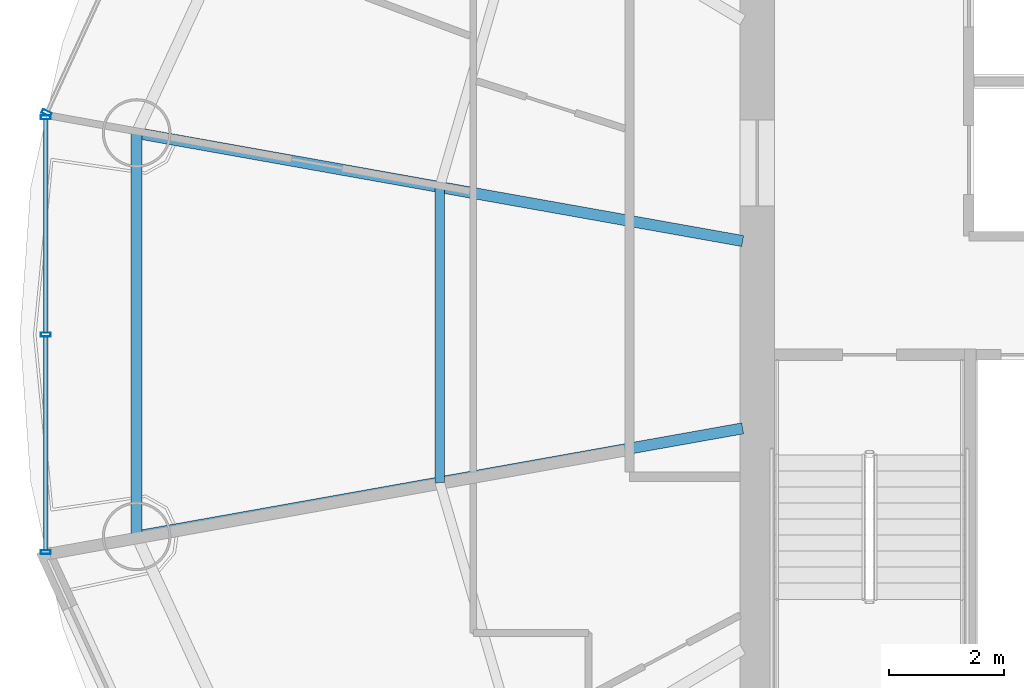
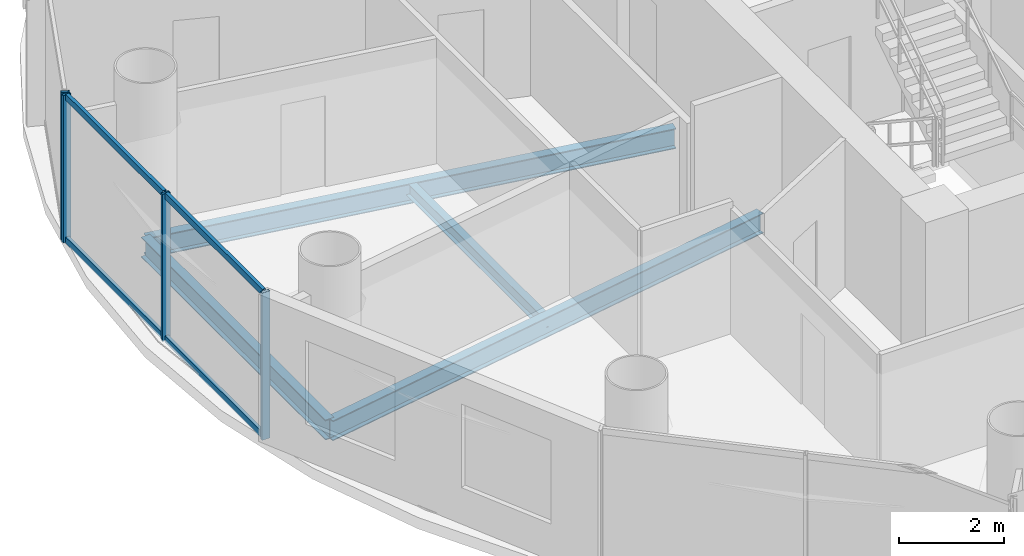
# One storey, part 7 of 27: 8 members, 4 beams, 2 elements without a shape of their own.
"""IFC4 building model written with IfcOpenShell, lengths in metres."""

from ifc_helpers import new_model, si_unit, direction, frame, origin, origin_2d, place, context, subcontext, project, spatial, hollow_rectangle, i_section, extrude, source, transform, mapped, material, material_profile, profile_set, type_object, element, aggregate, save


model = new_model("IFC4")

# Units and contexts
model_context = context("Model", 3, precision=1e-05, world=origin(), true_north=direction((-0.2419218956, 0.970295726276)))
body_context = subcontext(model_context, "Body", "Model", "MODEL_VIEW")
ifc_project = project(units=[si_unit("LENGTHUNIT", "METRE"), si_unit("AREAUNIT", "SQUARE_METRE"), si_unit("VOLUMEUNIT", "CUBIC_METRE"), si_unit("PLANEANGLEUNIT", "RADIAN"), si_unit("MASSUNIT", "GRAM", prefix="KILO")], contexts=[model_context])

# Site, building, storey
site_placement = place(None, origin())
site = spatial("IfcSite", under=ifc_project, at=site_placement, CompositionType="ELEMENT")
building_placement = place(site_placement, origin())
building = spatial("IfcBuilding", under=site, at=building_placement, Name="Cobrevalo Terracotta Tower", CompositionType="ELEMENT")
storey_placement = place(building_placement, frame((0.0, 0.0, 198.60009765625)))
storey = spatial("IfcBuildingStorey", under=building, at=storey_placement, Name="L52", CompositionType="ELEMENT", Elevation=198.60009765625)

# Beams
ifc_material_1 = material(Name="Steel S355", Category="steel")
ifc_material_profile_1 = material_profile(ifc_material_1, i_section(OverallWidth=0.194091796875, OverallDepth=0.468994140625, WebThickness=0.011474609375, FlangeThickness=0.0205078125, at=origin_2d()), Name="W 460x106")
ifc_profile_set_1 = profile_set([ifc_material_profile_1], Name="Steel S355")
beam_type_1 = type_object("IfcBeamType", Name="Structural Beam W 460x106 (Steel S355)", PredefinedType="BEAM", material=ifc_profile_set_1)
for number, where, z_axis, x_axis, name in (
    (1, (18.237060546875, 30.3212890625, -0.49951171875), (0.98449712063, -0.175400739656, 0.0), (0.175400739656, 0.98449712063, 0.0), "L52 radial floor girder 08"),
    (2, (18.237060546875, 23.278564453125, -0.49951171875), (0.984493198547, 0.175422752274, 0.0), (-0.175422752274, 0.984493198547, 0.0), "L52 radial floor girder 09"),
):
    element("IfcBeam", number, at=place(storey_placement, frame(where, z_axis=z_axis, x_axis=x_axis)), inside=storey, type_object=beam_type_1, Name=name, PredefinedType="BEAM", context=body_context, shape_type="SweptSolid", body=[
        extrude(i_section(OverallWidth=0.194091796875, OverallDepth=0.468994140625, WebThickness=0.011474609375, FlangeThickness=0.0205078125, at=origin_2d()), origin(), (0.0, 0.0, 1.0), 10.749755859375),
    ])
ifc_material_profile_2 = material_profile(ifc_material_1, i_section(OverallWidth=0.1650390625, OverallDepth=0.31005859375, WebThickness=0.005859375, FlangeThickness=0.009765625, at=origin_2d()), Name="W 310x38.7")
ifc_profile_set_2 = profile_set([ifc_material_profile_2], Name="Steel S355")
beam_type_2 = type_object("IfcBeamType", Name="Structural Joist W 310x38.7 (Steel S355)", PredefinedType="JOIST", material=ifc_profile_set_2)
beam_1_placement = place(storey_placement, frame((23.528564453125, 29.378662109375, -0.420166015625), z_axis=(0.0, -1.0, 0.0), x_axis=(1.0, 0.0, 0.0)))
element("IfcBeam", 3, at=beam_1_placement, inside=storey, type_object=beam_type_2, Name="L52 circumferential secondary floor joist 08", PredefinedType="JOIST", context=body_context, shape_type="SweptSolid", body=[
    extrude(i_section(OverallWidth=0.1650390625, OverallDepth=0.31005859375, WebThickness=0.005859375, FlangeThickness=0.009765625, at=origin_2d()), origin(), (0.0, 0.0, 1.0), 5.1572265625),
])
ifc_material_profile_3 = material_profile(ifc_material_1, i_section(OverallWidth=0.194091796875, OverallDepth=0.468994140625, WebThickness=0.011474609375, FlangeThickness=0.0205078125, at=origin_2d()), Name="W 460x106")
ifc_profile_set_3 = profile_set([ifc_material_profile_3], Name="Steel S355")
beam_type_3 = type_object("IfcBeamType", Name="Structural Spandrel W 460x106 (Steel S355)", PredefinedType="SPANDREL", material=ifc_profile_set_3)
beam_2_placement = place(storey_placement, frame((18.237060546875, 30.3212890625, -0.49951171875), z_axis=(0.0, -1.0, 0.0), x_axis=(1.0, 0.0, 0.0)))
element("IfcBeam", 4, at=beam_2_placement, inside=storey, type_object=beam_type_3, Name="L52 perimeter ring spandrel 08", PredefinedType="SPANDREL", context=body_context, shape_type="SweptSolid", body=[
    extrude(i_section(OverallWidth=0.194091796875, OverallDepth=0.468994140625, WebThickness=0.011474609375, FlangeThickness=0.0205078125, at=origin_2d()), origin(), (0.0, 0.0, 1.0), 7.042724609375),
])

# Curtain wall, members
ifc_material_2 = material(Name="Anodized aluminium", Category="aluminium")
curtain_wall_type = type_object("IfcCurtainWallType", Name="Mid-tower high-wind unitised curtain wall CW-U2", PredefinedType="NOTDEFINED", material=ifc_material_2)
curtain_wall_1_placement = place(storey_placement, origin())
curtain_wall_1 = element("IfcCurtainWall", 5, at=curtain_wall_1_placement, inside=storey, type_object=curtain_wall_type, Name="L52 curtain wall CW-L52-S08", PredefinedType="NOTDEFINED")
ifc_material_profile_4 = material_profile(ifc_material_2, hollow_rectangle(XDim=0.074951171875, YDim=0.14990234375, WallThickness=0.00439453125, at=origin_2d()), Name="CWT 75x150")
ifc_profile_set_4 = profile_set([ifc_material_profile_4], Name="Anodized aluminium")
member_type_1 = type_object("IfcMemberType", Name="Tower unitised aluminium transom 75x150", PredefinedType="USERDEFINED", material=ifc_profile_set_4)
shared_shape_1 = source(origin(), body_context, "Body", "SweptSolid", [
    extrude(hollow_rectangle(XDim=0.074951171875, YDim=0.14990234375, WallThickness=0.00439453125, at=origin_2d()), origin(), (0.0, 0.0, 1.0), 3.71728515625),
])
member_1_placement = place(storey_placement, frame((16.648193359375, 30.557373046875, 0.0498046875), z_axis=(0.0, -1.0, 0.0), x_axis=(1.0, 0.0, 0.0)))
member_1 = element("IfcMember", 6, at=member_1_placement, type_object=member_type_1, Name="CW-L52-S08 transom B01-T1", ObjectType="TRANSOM", PredefinedType="USERDEFINED", context=body_context, shape_type="MappedRepresentation", body=[
    mapped(shared_shape_1, transform((0.0, 0.0, 0.0), scale=1.0)),
])
member_2_placement = place(storey_placement, frame((16.648193359375, 30.557373046875, 3.385009765625), z_axis=(0.0, -1.0, 0.0), x_axis=(1.0, 0.0, 0.0)))
member_2 = element("IfcMember", 7, at=member_2_placement, type_object=member_type_1, Name="CW-L52-S08 transom B01-T2", ObjectType="TRANSOM", PredefinedType="USERDEFINED", context=body_context, shape_type="MappedRepresentation", body=[
    mapped(shared_shape_1, transform((0.0, 0.0, 0.0), scale=1.0)),
])
shared_shape_2 = source(origin(), body_context, "Body", "SweptSolid", [
    extrude(hollow_rectangle(XDim=0.074951171875, YDim=0.14990234375, WallThickness=0.00439453125, at=origin_2d()), origin(), (0.0, 0.0, 1.0), 3.717529296875),
])
member_3_placement = place(storey_placement, frame((16.648193359375, 26.760009765625, 0.0498046875), z_axis=(0.0, -1.0, 0.0), x_axis=(1.0, 0.0, 0.0)))
member_3 = element("IfcMember", 8, at=member_3_placement, type_object=member_type_1, Name="CW-L52-S08 transom B02-T1", ObjectType="TRANSOM", PredefinedType="USERDEFINED", context=body_context, shape_type="MappedRepresentation", body=[
    mapped(shared_shape_2, transform((0.0, 0.0, 0.0), scale=1.0)),
])
member_4_placement = place(storey_placement, frame((16.648193359375, 26.760009765625, 3.385009765625), z_axis=(0.0, -1.0, 0.0), x_axis=(1.0, 0.0, 0.0)))
member_4 = element("IfcMember", 9, at=member_4_placement, type_object=member_type_1, Name="CW-L52-S08 transom B02-T2", ObjectType="TRANSOM", PredefinedType="USERDEFINED", context=body_context, shape_type="MappedRepresentation", body=[
    mapped(shared_shape_2, transform((0.0, 0.0, 0.0), scale=1.0)),
])

# Curtain wall, member
curtain_wall_2_placement = place(storey_placement, origin())
curtain_wall_2 = element("IfcCurtainWall", 10, at=curtain_wall_2_placement, inside=storey, type_object=curtain_wall_type, Name="L52 curtain wall CW-L52-S07", PredefinedType="NOTDEFINED")
ifc_material_profile_5 = material_profile(ifc_material_2, hollow_rectangle(XDim=0.070068359375, YDim=0.169921875, WallThickness=0.00439453125, at=origin_2d()), Name="CWM 70x170")
ifc_profile_set_5 = profile_set([ifc_material_profile_5], Name="Anodized aluminium")
member_type_2 = type_object("IfcMemberType", Name="Upper tower unitised mullion 70x170", PredefinedType="MULLION", material=ifc_profile_set_5)
shared_shape_3 = source(origin(), body_context, "Body", "SweptSolid", [
    extrude(hollow_rectangle(XDim=0.070068359375, YDim=0.169921875, WallThickness=0.00439453125, at=origin_2d()), origin(), (0.0, 0.0, 1.0), 3.434814453125),
])
member_5_placement = place(storey_placement, frame((16.6650390625, 30.673828125, 0.0), z_axis=(0.0, 0.0, 1.0), x_axis=(-0.41672507912, -0.909032567311, 0.0)))
member_5 = element("IfcMember", 11, at=member_5_placement, type_object=member_type_2, Name="CW-L52-S07 vertical mullion 03", PredefinedType="MULLION", context=body_context, shape_type="MappedRepresentation", body=[
    mapped(shared_shape_3, transform((0.0, 0.0, 0.0), scale=1.0)),
])
aggregate(curtain_wall_2, [member_5])

# Member
member_6_placement = place(storey_placement, frame((16.648193359375, 30.597412109375, 0.0), z_axis=(0.0, 0.0, 1.0), x_axis=(0.0, -1.0, 0.0)))
member_6 = element("IfcMember", 12, at=member_6_placement, type_object=member_type_2, Name="CW-L52-S08 vertical mullion 01", PredefinedType="MULLION", context=body_context, shape_type="MappedRepresentation", body=[
    mapped(shared_shape_3, transform((0.0, 0.0, 0.0), scale=1.0)),
])

member_7_placement = place(storey_placement, frame((16.648193359375, 26.800048828125, 0.0), z_axis=(0.0, 0.0, 1.0), x_axis=(0.0, -1.0, 0.0)))
member_7 = element("IfcMember", 13, at=member_7_placement, type_object=member_type_2, Name="CW-L52-S08 vertical mullion 02", PredefinedType="MULLION", context=body_context, shape_type="MappedRepresentation", body=[
    mapped(shared_shape_3, transform((0.0, 0.0, 0.0), scale=1.0)),
])

member_8_placement = place(storey_placement, frame((16.648193359375, 23.002685546875, 0.0), z_axis=(0.0, 0.0, 1.0), x_axis=(0.0, -1.0, 0.0)))
member_8 = element("IfcMember", 14, at=member_8_placement, type_object=member_type_2, Name="CW-L52-S08 vertical mullion 03", PredefinedType="MULLION", context=body_context, shape_type="MappedRepresentation", body=[
    mapped(shared_shape_3, transform((0.0, 0.0, 0.0), scale=1.0)),
])

aggregate(curtain_wall_1, [member_6, member_7, member_8, member_1, member_2, member_3, member_4])

save(model, "model.ifc")
